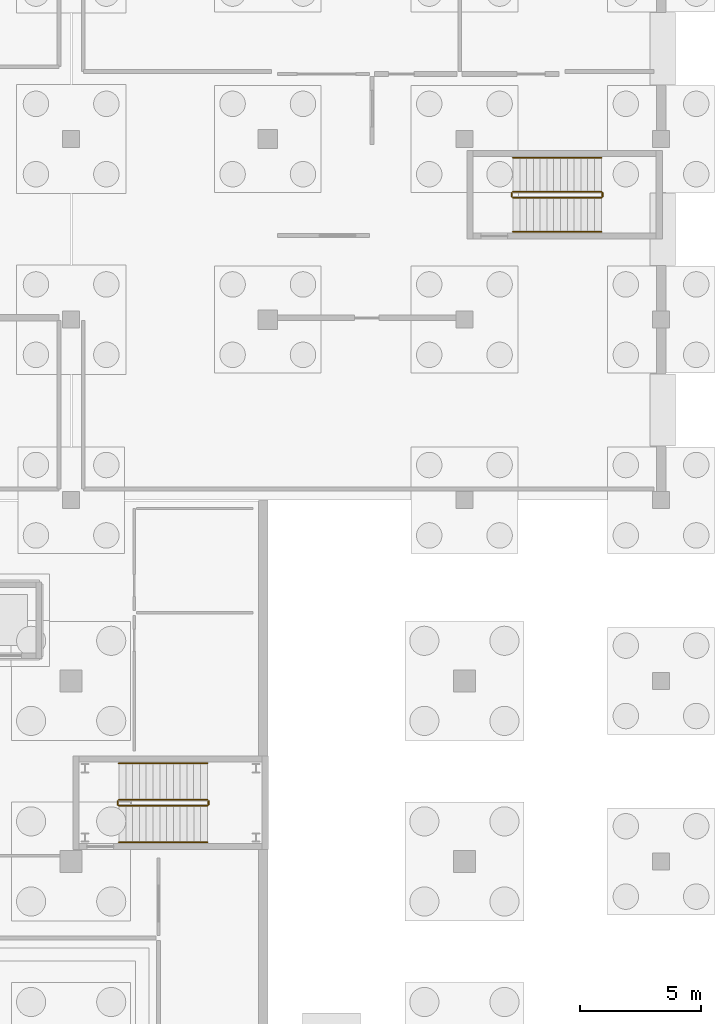
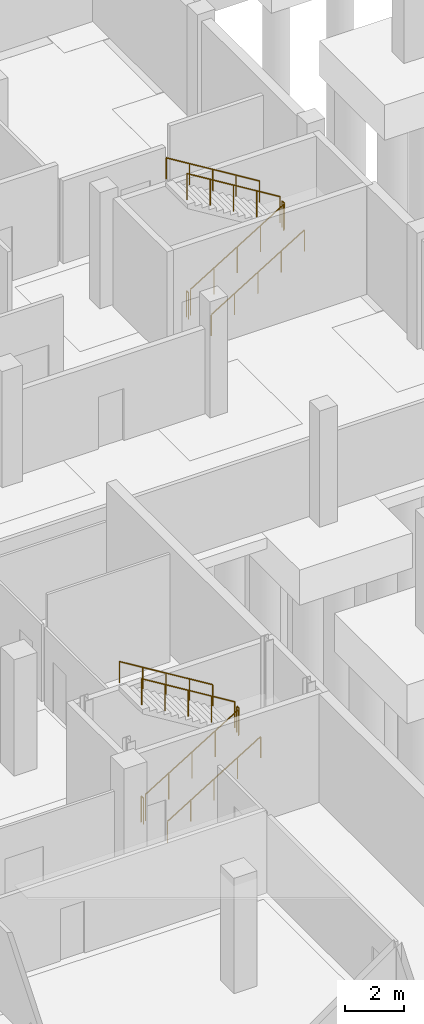
# One storey, part 36 of 37: 12 railings.
"""IFC4 building model written with IfcOpenShell, lengths in metres."""

from ifc_helpers import new_model, si_unit, direction, frame, origin, origin_2d, place, context, subcontext, project, spatial, circle, extrude, material, type_object, element, save


model = new_model("IFC4")

# Units and contexts
model_context = context("Model", 3, precision=1e-05, world=origin(), true_north=direction((0.0, 1.0)))
body_context = subcontext(model_context, "Body", "Model", "MODEL_VIEW")
ifc_project = project(units=[si_unit("LENGTHUNIT", "METRE"), si_unit("AREAUNIT", "SQUARE_METRE"), si_unit("VOLUMEUNIT", "CUBIC_METRE"), si_unit("PLANEANGLEUNIT", "RADIAN"), si_unit("MASSUNIT", "GRAM", prefix="KILO")], contexts=[model_context])

# Site, building, storey
site_placement = place(None, origin())
site = spatial("IfcSite", under=ifc_project, at=site_placement, CompositionType="ELEMENT")
building_placement = place(site_placement, origin())
building = spatial("IfcBuilding", under=site, at=building_placement, Name="Kaelora Sail Theatre", CompositionType="ELEMENT")
storey_placement = place(building_placement, frame((0.0, 0.0, -4.800048828125)))
storey = spatial("IfcBuildingStorey", under=building, at=storey_placement, Name="B1", CompositionType="ELEMENT", Elevation=-4.800048828125)

# Railings
ifc_material_1 = material(Name="Painted steel and laminated safety glass guard", Category="steel")
railing_type_1 = type_object("IfcRailingType", Name="ARC-RL-GRD", PredefinedType="GUARDRAIL", material=ifc_material_1)
railing_1_placement = place(storey_placement, frame((84.5, 95.800048828125, 0.17138671875)))
element("IfcRailing", 1, at=railing_1_placement, inside=storey, type_object=railing_type_1, Name="B1 ST-K3 stair guard 1", PredefinedType="GUARDRAIL", context=body_context, shape_type="SweptSolid", body=[
    extrude(circle(Radius=0.02392578125, at=origin_2d()), frame((0.0, 0.0, 1.076171875), z_axis=(0.852824790078, 0.0, 0.522197163366), x_axis=(0.0, 1.0, 0.0)), (0.0, 0.0, 1.0), 4.26806640625),
    extrude(circle(Radius=0.02099609375, at=origin_2d()), origin(), (0.0, 0.0, 1.0), 1.052001953125),
    extrude(circle(Radius=0.02099609375, at=origin_2d()), frame((0.909912109375, 0.0, 0.55712890625)), (0.0, 0.0, 1.0), 1.052001953125),
    extrude(circle(Radius=0.02099609375, at=origin_2d()), frame((1.81982421875, 0.0, 1.1142578125)), (0.0, 0.0, 1.0), 1.052001953125),
    extrude(circle(Radius=0.02099609375, at=origin_2d()), frame((2.72998046875, 0.0, 1.671630859375)), (0.0, 0.0, 1.0), 1.052001953125),
    extrude(circle(Radius=0.02099609375, at=origin_2d()), frame((3.639892578125, 0.0, 2.228759765625)), (0.0, 0.0, 1.0), 1.052001953125),
])
railing_2_placement = place(storey_placement, frame((88.18994140625, 95.85009765625, 2.400146484375)))
element("IfcRailing", 2, at=railing_2_placement, inside=storey, type_object=railing_type_1, Name="B1 ST-K3 stair guard 2", PredefinedType="GUARDRAIL", context=body_context, shape_type="SweptSolid", body=[
    extrude(circle(Radius=0.02392578125, at=origin_2d()), frame((0.0, 0.0, 1.076171875), z_axis=(0.0, 1.0, 0.0), x_axis=(-1.0, 0.0, 0.0)), (0.0, 0.0, 1.0), 0.14990234375),
    extrude(circle(Radius=0.02099609375, at=origin_2d()), origin(), (0.0, 0.0, 1.0), 1.052001953125),
    extrude(circle(Radius=0.02099609375, at=origin_2d()), frame((0.0, 0.14990234375, 0.0)), (0.0, 0.0, 1.0), 1.052001953125),
])
railing_3_placement = place(storey_placement, frame((88.139892578125, 96.050048828125, 2.571533203125)))
element("IfcRailing", 3, at=railing_3_placement, inside=storey, type_object=railing_type_1, Name="B1 ST-K3 stair guard 3", PredefinedType="GUARDRAIL", context=body_context, shape_type="SweptSolid", body=[
    extrude(circle(Radius=0.02392578125, at=origin_2d()), frame((0.0, 0.0, 1.076171875), z_axis=(-0.852850264322, 0.0, 0.5221555579), x_axis=(0.0, -1.0, 0.0)), (0.0, 0.0, 1.0), 4.267822265625),
    extrude(circle(Radius=0.02099609375, at=origin_2d()), origin(), (0.0, 0.0, 1.0), 1.052001953125),
    extrude(circle(Radius=0.02099609375, at=origin_2d()), frame((-0.909912109375, 0.0, 0.55712890625)), (0.0, 0.0, 1.0), 1.052001953125),
    extrude(circle(Radius=0.02099609375, at=origin_2d()), frame((-1.81982421875, 0.0, 1.1142578125)), (0.0, 0.0, 1.0), 1.052001953125),
    extrude(circle(Radius=0.02099609375, at=origin_2d()), frame((-2.72998046875, 0.0, 1.67138671875)), (0.0, 0.0, 1.0), 1.052001953125),
    extrude(circle(Radius=0.02099609375, at=origin_2d()), frame((-3.639892578125, 0.0, 2.228515625)), (0.0, 0.0, 1.0), 1.052001953125),
])
railing_4_placement = place(storey_placement, frame((84.449951171875, 95.85009765625, 0.0)))
element("IfcRailing", 4, at=railing_4_placement, inside=storey, type_object=railing_type_1, Name="B1 ST-K3 stair guard 4", PredefinedType="GUARDRAIL", context=body_context, shape_type="SweptSolid", body=[
    extrude(circle(Radius=0.02392578125, at=origin_2d()), frame((0.0, 0.0, 1.076171875), z_axis=(0.0, 1.0, 0.0), x_axis=(-1.0, 0.0, 0.0)), (0.0, 0.0, 1.0), 0.14990234375),
    extrude(circle(Radius=0.02099609375, at=origin_2d()), origin(), (0.0, 0.0, 1.0), 1.052001953125),
    extrude(circle(Radius=0.02099609375, at=origin_2d()), frame((0.0, 0.14990234375, 0.0)), (0.0, 0.0, 1.0), 1.052001953125),
])
railing_5_placement = place(storey_placement, frame((68.27001953125, 70.75, 0.17138671875)))
element("IfcRailing", 5, at=railing_5_placement, inside=storey, type_object=railing_type_1, Name="B1 ST-F1 stair guard 1", PredefinedType="GUARDRAIL", context=body_context, shape_type="SweptSolid", body=[
    extrude(circle(Radius=0.02392578125, at=origin_2d()), frame((0.0, 0.0, 1.076171875), z_axis=(0.852824790078, 0.0, 0.522197163366), x_axis=(0.0, 1.0, 0.0)), (0.0, 0.0, 1.0), 4.26806640625),
    extrude(circle(Radius=0.02099609375, at=origin_2d()), origin(), (0.0, 0.0, 1.0), 1.052001953125),
    extrude(circle(Radius=0.02099609375, at=origin_2d()), frame((0.909912109375, 0.0, 0.55712890625)), (0.0, 0.0, 1.0), 1.052001953125),
    extrude(circle(Radius=0.02099609375, at=origin_2d()), frame((1.81982421875, 0.0, 1.1142578125)), (0.0, 0.0, 1.0), 1.052001953125),
    extrude(circle(Radius=0.02099609375, at=origin_2d()), frame((2.72998046875, 0.0, 1.671630859375)), (0.0, 0.0, 1.0), 1.052001953125),
    extrude(circle(Radius=0.02099609375, at=origin_2d()), frame((3.639892578125, 0.0, 2.228759765625)), (0.0, 0.0, 1.0), 1.052001953125),
])
railing_6_placement = place(storey_placement, frame((71.9599609375, 70.800048828125, 2.400146484375)))
element("IfcRailing", 6, at=railing_6_placement, inside=storey, type_object=railing_type_1, Name="B1 ST-F1 stair guard 2", PredefinedType="GUARDRAIL", context=body_context, shape_type="SweptSolid", body=[
    extrude(circle(Radius=0.02392578125, at=origin_2d()), frame((0.0, 0.0, 1.076171875), z_axis=(0.0, 1.0, 0.0), x_axis=(-1.0, 0.0, 0.0)), (0.0, 0.0, 1.0), 0.14990234375),
    extrude(circle(Radius=0.02099609375, at=origin_2d()), origin(), (0.0, 0.0, 1.0), 1.052001953125),
    extrude(circle(Radius=0.02099609375, at=origin_2d()), frame((0.0, 0.14990234375, 0.0)), (0.0, 0.0, 1.0), 1.052001953125),
])
railing_7_placement = place(storey_placement, frame((71.909912109375, 71.0, 2.571533203125)))
element("IfcRailing", 7, at=railing_7_placement, inside=storey, type_object=railing_type_1, Name="B1 ST-F1 stair guard 3", PredefinedType="GUARDRAIL", context=body_context, shape_type="SweptSolid", body=[
    extrude(circle(Radius=0.02392578125, at=origin_2d()), frame((0.0, 0.0, 1.076171875), z_axis=(-0.852850264322, 0.0, 0.5221555579), x_axis=(0.0, -1.0, 0.0)), (0.0, 0.0, 1.0), 4.267822265625),
    extrude(circle(Radius=0.02099609375, at=origin_2d()), origin(), (0.0, 0.0, 1.0), 1.052001953125),
    extrude(circle(Radius=0.02099609375, at=origin_2d()), frame((-0.909912109375, 0.0, 0.55712890625)), (0.0, 0.0, 1.0), 1.052001953125),
    extrude(circle(Radius=0.02099609375, at=origin_2d()), frame((-1.81982421875, 0.0, 1.1142578125)), (0.0, 0.0, 1.0), 1.052001953125),
    extrude(circle(Radius=0.02099609375, at=origin_2d()), frame((-2.72998046875, 0.0, 1.67138671875)), (0.0, 0.0, 1.0), 1.052001953125),
    extrude(circle(Radius=0.02099609375, at=origin_2d()), frame((-3.639892578125, 0.0, 2.228515625)), (0.0, 0.0, 1.0), 1.052001953125),
])
railing_8_placement = place(storey_placement, frame((68.219970703125, 70.800048828125, 0.0)))
element("IfcRailing", 8, at=railing_8_placement, inside=storey, type_object=railing_type_1, Name="B1 ST-F1 stair guard 4", PredefinedType="GUARDRAIL", context=body_context, shape_type="SweptSolid", body=[
    extrude(circle(Radius=0.02392578125, at=origin_2d()), frame((0.0, 0.0, 1.076171875), z_axis=(0.0, 1.0, 0.0), x_axis=(-1.0, 0.0, 0.0)), (0.0, 0.0, 1.0), 0.14990234375),
    extrude(circle(Radius=0.02099609375, at=origin_2d()), origin(), (0.0, 0.0, 1.0), 1.052001953125),
    extrude(circle(Radius=0.02099609375, at=origin_2d()), frame((0.0, 0.14990234375, 0.0)), (0.0, 0.0, 1.0), 1.052001953125),
])
ifc_material_2 = material(Name="Brushed stainless steel 316L tubular handrail", Category="steel")
railing_type_2 = type_object("IfcRailingType", Name="ARC-RL-HND", PredefinedType="HANDRAIL", material=ifc_material_2)
railing_9_placement = place(storey_placement, frame((84.5, 94.39990234375, 0.17138671875)))
element("IfcRailing", 9, at=railing_9_placement, inside=storey, type_object=railing_type_2, Name="B1 ST-K3 stair handrail 1", PredefinedType="HANDRAIL", context=body_context, shape_type="SweptSolid", body=[
    extrude(circle(Radius=0.02392578125, at=origin_2d()), frame((0.0, 0.0, 0.8759765625), z_axis=(0.852824790078, 0.0, 0.522197163366), x_axis=(0.0, 1.0, 0.0)), (0.0, 0.0, 1.0), 4.26806640625),
    extrude(circle(Radius=0.02099609375, at=origin_2d()), origin(), (0.0, 0.0, 1.0), 0.851806640625),
    extrude(circle(Radius=0.02099609375, at=origin_2d()), frame((0.909912109375, 0.0, 0.55712890625)), (0.0, 0.0, 1.0), 0.851806640625),
    extrude(circle(Radius=0.02099609375, at=origin_2d()), frame((1.81982421875, 0.0, 1.1142578125)), (0.0, 0.0, 1.0), 0.851806640625),
    extrude(circle(Radius=0.02099609375, at=origin_2d()), frame((2.72998046875, 0.0, 1.671630859375)), (0.0, 0.0, 1.0), 0.851806640625),
    extrude(circle(Radius=0.02099609375, at=origin_2d()), frame((3.639892578125, 0.0, 2.228759765625)), (0.0, 0.0, 1.0), 0.851806640625),
])
railing_10_placement = place(storey_placement, frame((88.139892578125, 97.449951171875, 2.571533203125)))
element("IfcRailing", 10, at=railing_10_placement, inside=storey, type_object=railing_type_2, Name="B1 ST-K3 stair handrail 2", PredefinedType="HANDRAIL", context=body_context, shape_type="SweptSolid", body=[
    extrude(circle(Radius=0.02392578125, at=origin_2d()), frame((0.0, 0.0, 0.8759765625), z_axis=(-0.852850264322, 0.0, 0.5221555579), x_axis=(0.0, -1.0, 0.0)), (0.0, 0.0, 1.0), 4.267822265625),
    extrude(circle(Radius=0.02099609375, at=origin_2d()), origin(), (0.0, 0.0, 1.0), 0.851806640625),
    extrude(circle(Radius=0.02099609375, at=origin_2d()), frame((-0.909912109375, 0.0, 0.55712890625)), (0.0, 0.0, 1.0), 0.851806640625),
    extrude(circle(Radius=0.02099609375, at=origin_2d()), frame((-1.81982421875, 0.0, 1.1142578125)), (0.0, 0.0, 1.0), 0.851806640625),
    extrude(circle(Radius=0.02099609375, at=origin_2d()), frame((-2.72998046875, 0.0, 1.67138671875)), (0.0, 0.0, 1.0), 0.851806640625),
    extrude(circle(Radius=0.02099609375, at=origin_2d()), frame((-3.639892578125, 0.0, 2.228515625)), (0.0, 0.0, 1.0), 0.851806640625),
])
railing_11_placement = place(storey_placement, frame((68.27001953125, 69.25, 0.17138671875)))
element("IfcRailing", 11, at=railing_11_placement, inside=storey, type_object=railing_type_2, Name="B1 ST-F1 stair handrail 1", PredefinedType="HANDRAIL", context=body_context, shape_type="SweptSolid", body=[
    extrude(circle(Radius=0.02392578125, at=origin_2d()), frame((0.0, 0.0, 0.8759765625), z_axis=(0.852824790078, 0.0, 0.522197163366), x_axis=(0.0, 1.0, 0.0)), (0.0, 0.0, 1.0), 4.26806640625),
    extrude(circle(Radius=0.02099609375, at=origin_2d()), origin(), (0.0, 0.0, 1.0), 0.851806640625),
    extrude(circle(Radius=0.02099609375, at=origin_2d()), frame((0.909912109375, 0.0, 0.55712890625)), (0.0, 0.0, 1.0), 0.851806640625),
    extrude(circle(Radius=0.02099609375, at=origin_2d()), frame((1.81982421875, 0.0, 1.1142578125)), (0.0, 0.0, 1.0), 0.851806640625),
    extrude(circle(Radius=0.02099609375, at=origin_2d()), frame((2.72998046875, 0.0, 1.671630859375)), (0.0, 0.0, 1.0), 0.851806640625),
    extrude(circle(Radius=0.02099609375, at=origin_2d()), frame((3.639892578125, 0.0, 2.228759765625)), (0.0, 0.0, 1.0), 0.851806640625),
])
railing_12_placement = place(storey_placement, frame((71.909912109375, 72.5, 2.571533203125)))
element("IfcRailing", 12, at=railing_12_placement, inside=storey, type_object=railing_type_2, Name="B1 ST-F1 stair handrail 2", PredefinedType="HANDRAIL", context=body_context, shape_type="SweptSolid", body=[
    extrude(circle(Radius=0.02392578125, at=origin_2d()), frame((0.0, 0.0, 0.8759765625), z_axis=(-0.852850264322, 0.0, 0.5221555579), x_axis=(0.0, -1.0, 0.0)), (0.0, 0.0, 1.0), 4.267822265625),
    extrude(circle(Radius=0.02099609375, at=origin_2d()), origin(), (0.0, 0.0, 1.0), 0.851806640625),
    extrude(circle(Radius=0.02099609375, at=origin_2d()), frame((-0.909912109375, 0.0, 0.55712890625)), (0.0, 0.0, 1.0), 0.851806640625),
    extrude(circle(Radius=0.02099609375, at=origin_2d()), frame((-1.81982421875, 0.0, 1.1142578125)), (0.0, 0.0, 1.0), 0.851806640625),
    extrude(circle(Radius=0.02099609375, at=origin_2d()), frame((-2.72998046875, 0.0, 1.67138671875)), (0.0, 0.0, 1.0), 0.851806640625),
    extrude(circle(Radius=0.02099609375, at=origin_2d()), frame((-3.639892578125, 0.0, 2.228515625)), (0.0, 0.0, 1.0), 0.851806640625),
])

save(model, "model.ifc")
